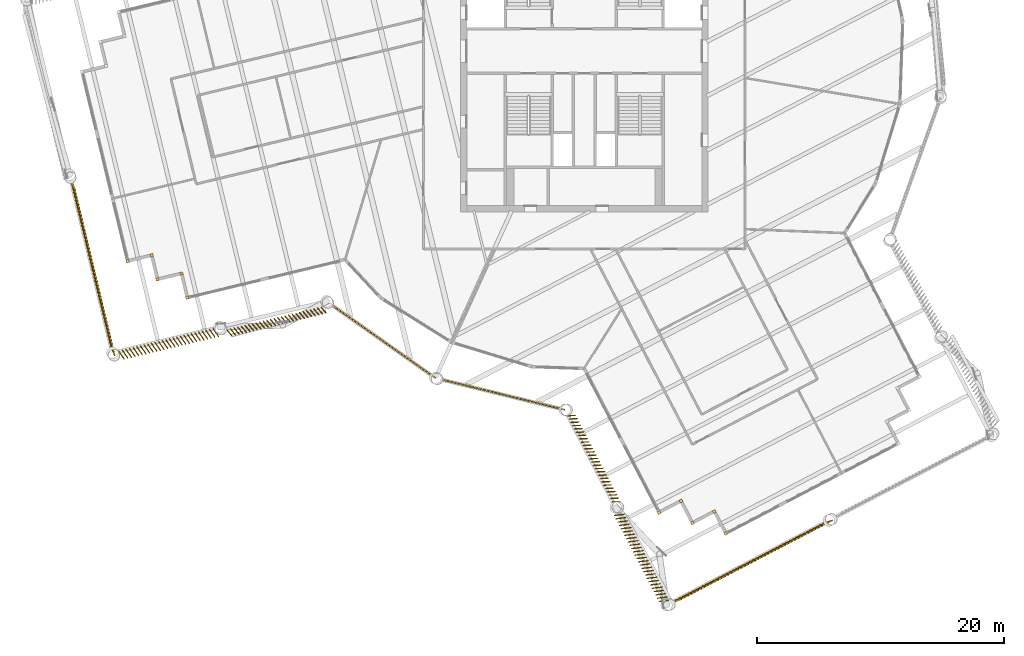
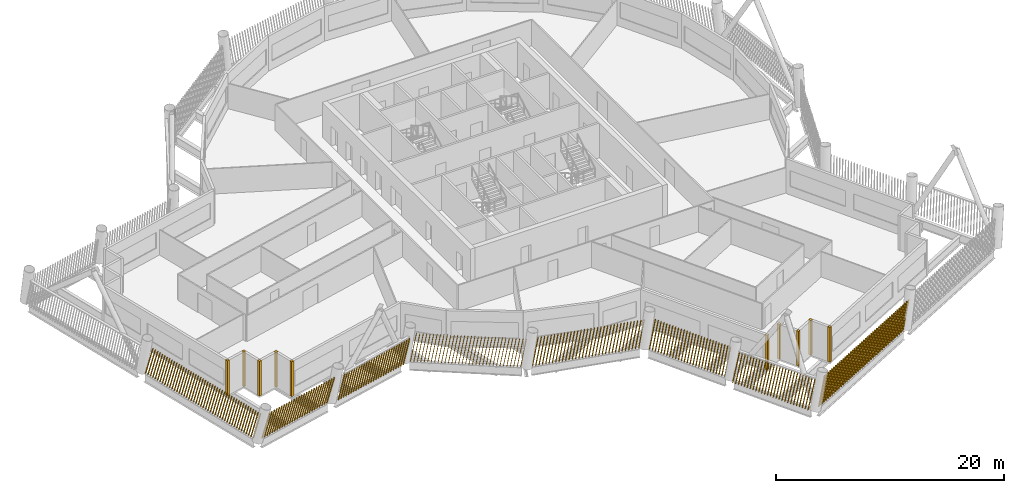
# One storey, part 18 of 22: 18 shading devices.
"""IFC4 building model written with IfcOpenShell, lengths in metres."""

from ifc_helpers import new_model, si_unit, direction, frame, frame_2d, origin, origin_2d, place, context, subcontext, project, spatial, rectangle, composite_profile, extrude, material, type_object, element, save


model = new_model("IFC4")

# Units and contexts
model_context = context("Model", 3, precision=1e-05, world=origin(), true_north=direction((0.0, 1.0)))
body_context = subcontext(model_context, "Body", "Model", "MODEL_VIEW")
ifc_project = project(units=[si_unit("LENGTHUNIT", "METRE"), si_unit("AREAUNIT", "SQUARE_METRE"), si_unit("VOLUMEUNIT", "CUBIC_METRE"), si_unit("PLANEANGLEUNIT", "RADIAN"), si_unit("MASSUNIT", "GRAM", prefix="KILO")], contexts=[model_context])

# Site, building, storey
site_placement = place(None, origin())
site = spatial("IfcSite", under=ifc_project, at=site_placement, CompositionType="ELEMENT")
building_placement = place(site_placement, origin())
building = spatial("IfcBuilding", under=site, at=building_placement, Name="Tarsis Ring Headquarters", CompositionType="ELEMENT")
storey_placement = place(building_placement, frame((0.0, 0.0, 339.199951171875)))
storey = spatial("IfcBuildingStorey", under=building, at=storey_placement, Name="L80", CompositionType="ELEMENT", Elevation=339.199951171875)

# Shading devices
ifc_material = material(Name="Terracotta baguette", Category="masonry")
shading_device_type_1 = type_object("IfcShadingDeviceType", Name="Terracotta baguette screen", PredefinedType="USERDEFINED", material=ifc_material)
shading_device_1_placement = place(storey_placement, frame((-11.551513671875, -26.556396484375, 0.0), z_axis=(0.0, 0.0, 1.0), x_axis=(0.971143756558, -0.238445010743, 0.0)))
element("IfcShadingDevice", 1, at=shading_device_1_placement, inside=storey, type_object=shading_device_type_1, Name="Baguette screen L80-00", ObjectType="Terracotta baguette screen", PredefinedType="USERDEFINED", context=body_context, shape_type="SweptSolid", body=[
    extrude(composite_profile([rectangle(XDim=0.06005859375, YDim=0.1201171875, at=frame_2d((0.030029296875, 0.0))), rectangle(XDim=0.06005859375, YDim=0.1201171875, at=frame_2d((0.33349609375, 0.0))), rectangle(XDim=0.06005859375, YDim=0.1201171875, at=frame_2d((0.636962890625, 0.0))), rectangle(XDim=0.06005859375, YDim=0.1201171875, at=frame_2d((0.9404296875, 0.0))), rectangle(XDim=0.06005859375, YDim=0.1201171875, at=frame_2d((1.243896484375, 0.0))), rectangle(XDim=0.06005859375, YDim=0.1201171875, at=frame_2d((1.54736328125, 0.0))), rectangle(XDim=0.06005859375, YDim=0.1201171875, at=frame_2d((1.85107421875, 0.0))), rectangle(XDim=0.06005859375, YDim=0.1201171875, at=frame_2d((2.154541015625, 0.0))), rectangle(XDim=0.06005859375, YDim=0.1201171875, at=frame_2d((2.4580078125, 0.0))), rectangle(XDim=0.06005859375, YDim=0.1201171875, at=frame_2d((2.761474609375, 0.0))), rectangle(XDim=0.06005859375, YDim=0.1201171875, at=frame_2d((3.06494140625, 0.0))), rectangle(XDim=0.06005859375, YDim=0.1201171875, at=frame_2d((3.368408203125, 0.0))), rectangle(XDim=0.06005859375, YDim=0.1201171875, at=frame_2d((3.671875, 0.0))), rectangle(XDim=0.06005859375, YDim=0.1201171875, at=frame_2d((3.975341796875, 0.0))), rectangle(XDim=0.06005859375, YDim=0.1201171875, at=frame_2d((4.27880859375, 0.0))), rectangle(XDim=0.06005859375, YDim=0.1201171875, at=frame_2d((4.582275390625, 0.0))), rectangle(XDim=0.06005859375, YDim=0.1201171875, at=frame_2d((4.8857421875, 0.0))), rectangle(XDim=0.06005859375, YDim=0.1201171875, at=frame_2d((5.189453125, 0.0))), rectangle(XDim=0.06005859375, YDim=0.1201171875, at=frame_2d((5.492919921875, 0.0))), rectangle(XDim=0.06005859375, YDim=0.1201171875, at=frame_2d((5.79638671875, 0.0))), rectangle(XDim=0.06005859375, YDim=0.1201171875, at=frame_2d((6.099853515625, 0.0))), rectangle(XDim=0.06005859375, YDim=0.1201171875, at=frame_2d((6.4033203125, 0.0))), rectangle(XDim=0.06005859375, YDim=0.1201171875, at=frame_2d((6.706787109375, 0.0))), rectangle(XDim=0.06005859375, YDim=0.1201171875, at=frame_2d((7.01025390625, 0.0))), rectangle(XDim=0.06005859375, YDim=0.1201171875, at=frame_2d((7.313720703125, 0.0))), rectangle(XDim=0.06005859375, YDim=0.1201171875, at=frame_2d((7.6171875, 0.0))), rectangle(XDim=0.06005859375, YDim=0.1201171875, at=frame_2d((7.920654296875, 0.0))), rectangle(XDim=0.06005859375, YDim=0.1201171875, at=frame_2d((8.224365234375, 0.0))), rectangle(XDim=0.06005859375, YDim=0.1201171875, at=frame_2d((8.52783203125, 0.0))), rectangle(XDim=0.06005859375, YDim=0.1201171875, at=frame_2d((8.831298828125, 0.0))), rectangle(XDim=0.06005859375, YDim=0.1201171875, at=frame_2d((9.134765625, 0.0))), rectangle(XDim=0.06005859375, YDim=0.1201171875, at=frame_2d((9.438232421875, 0.0))), rectangle(XDim=0.06005859375, YDim=0.1201171875, at=frame_2d((9.74169921875, 0.0)))]), origin(), (0.171972713816, 0.001560329971, 0.985100477653), 3.0126953125),
])
shading_device_2_placement = place(storey_placement, frame((-1.344970703125, -29.44921875, 0.0), z_axis=(0.0, 0.0, 1.0), x_axis=(0.462061295106, -0.886832674246, 0.0)))
element("IfcShadingDevice", 2, at=shading_device_2_placement, inside=storey, type_object=shading_device_type_1, Name="Baguette screen L80-01", ObjectType="Terracotta baguette screen", PredefinedType="USERDEFINED", context=body_context, shape_type="SweptSolid", body=[
    extrude(composite_profile([rectangle(XDim=0.06005859375, YDim=0.1201171875, at=frame_2d((0.030029296875, 0.0))), rectangle(XDim=0.06005859375, YDim=0.1201171875, at=frame_2d((0.33154296875, 0.0))), rectangle(XDim=0.06005859375, YDim=0.1201171875, at=frame_2d((0.63330078125, 0.0))), rectangle(XDim=0.06005859375, YDim=0.1201171875, at=frame_2d((0.934814453125, 0.0))), rectangle(XDim=0.06005859375, YDim=0.1201171875, at=frame_2d((1.236572265625, 0.0))), rectangle(XDim=0.06005859375, YDim=0.1201171875, at=frame_2d((1.5380859375, 0.0))), rectangle(XDim=0.06005859375, YDim=0.1201171875, at=frame_2d((1.83984375, 0.0))), rectangle(XDim=0.06005859375, YDim=0.1201171875, at=frame_2d((2.141357421875, 0.0))), rectangle(XDim=0.06005859375, YDim=0.1201171875, at=frame_2d((2.443115234375, 0.0))), rectangle(XDim=0.06005859375, YDim=0.1201171875, at=frame_2d((2.74462890625, 0.0))), rectangle(XDim=0.06005859375, YDim=0.1201171875, at=frame_2d((3.04638671875, 0.0))), rectangle(XDim=0.06005859375, YDim=0.1201171875, at=frame_2d((3.347900390625, 0.0))), rectangle(XDim=0.06005859375, YDim=0.1201171875, at=frame_2d((3.649658203125, 0.0))), rectangle(XDim=0.06005859375, YDim=0.1201171875, at=frame_2d((3.951171875, 0.0))), rectangle(XDim=0.06005859375, YDim=0.1201171875, at=frame_2d((4.252685546875, 0.0))), rectangle(XDim=0.06005859375, YDim=0.1201171875, at=frame_2d((4.554443359375, 0.0))), rectangle(XDim=0.06005859375, YDim=0.1201171875, at=frame_2d((4.85595703125, 0.0))), rectangle(XDim=0.06005859375, YDim=0.1201171875, at=frame_2d((5.15771484375, 0.0))), rectangle(XDim=0.06005859375, YDim=0.1201171875, at=frame_2d((5.459228515625, 0.0))), rectangle(XDim=0.06005859375, YDim=0.1201171875, at=frame_2d((5.760986328125, 0.0))), rectangle(XDim=0.06005859375, YDim=0.1201171875, at=frame_2d((6.0625, 0.0))), rectangle(XDim=0.06005859375, YDim=0.1201171875, at=frame_2d((6.3642578125, 0.0))), rectangle(XDim=0.06005859375, YDim=0.1201171875, at=frame_2d((6.665771484375, 0.0))), rectangle(XDim=0.06005859375, YDim=0.1201171875, at=frame_2d((6.967529296875, 0.0))), rectangle(XDim=0.06005859375, YDim=0.1201171875, at=frame_2d((7.26904296875, 0.0))), rectangle(XDim=0.06005859375, YDim=0.1201171875, at=frame_2d((7.57080078125, 0.0))), rectangle(XDim=0.06005859375, YDim=0.1201171875, at=frame_2d((7.872314453125, 0.0)))]), origin(), (0.0871284529, 0.177342504153, 0.980284789699), 3.02734375),
])
shading_device_3_placement = place(storey_placement, frame((2.435791015625, -37.517333984375, 0.0), z_axis=(0.0, 0.0, 1.0), x_axis=(0.462061295106, -0.886832674246, 0.0)))
element("IfcShadingDevice", 3, at=shading_device_3_placement, inside=storey, type_object=shading_device_type_1, Name="Baguette screen L80-02", ObjectType="Terracotta baguette screen", PredefinedType="USERDEFINED", context=body_context, shape_type="SweptSolid", body=[
    extrude(composite_profile([rectangle(XDim=0.06005859375, YDim=0.1201171875, at=frame_2d((0.030029296875, 0.0))), rectangle(XDim=0.06005859375, YDim=0.1201171875, at=frame_2d((0.33154296875, 0.0))), rectangle(XDim=0.06005859375, YDim=0.1201171875, at=frame_2d((0.63330078125, 0.0))), rectangle(XDim=0.06005859375, YDim=0.1201171875, at=frame_2d((0.934814453125, 0.0))), rectangle(XDim=0.06005859375, YDim=0.1201171875, at=frame_2d((1.236572265625, 0.0))), rectangle(XDim=0.06005859375, YDim=0.1201171875, at=frame_2d((1.5380859375, 0.0))), rectangle(XDim=0.06005859375, YDim=0.1201171875, at=frame_2d((1.83984375, 0.0))), rectangle(XDim=0.06005859375, YDim=0.1201171875, at=frame_2d((2.141357421875, 0.0))), rectangle(XDim=0.06005859375, YDim=0.1201171875, at=frame_2d((2.443115234375, 0.0))), rectangle(XDim=0.06005859375, YDim=0.1201171875, at=frame_2d((2.74462890625, 0.0))), rectangle(XDim=0.06005859375, YDim=0.1201171875, at=frame_2d((3.04638671875, 0.0))), rectangle(XDim=0.06005859375, YDim=0.1201171875, at=frame_2d((3.347900390625, 0.0))), rectangle(XDim=0.06005859375, YDim=0.1201171875, at=frame_2d((3.649658203125, 0.0))), rectangle(XDim=0.06005859375, YDim=0.1201171875, at=frame_2d((3.951171875, 0.0))), rectangle(XDim=0.06005859375, YDim=0.1201171875, at=frame_2d((4.252685546875, 0.0))), rectangle(XDim=0.06005859375, YDim=0.1201171875, at=frame_2d((4.554443359375, 0.0))), rectangle(XDim=0.06005859375, YDim=0.1201171875, at=frame_2d((4.85595703125, 0.0))), rectangle(XDim=0.06005859375, YDim=0.1201171875, at=frame_2d((5.15771484375, 0.0))), rectangle(XDim=0.06005859375, YDim=0.1201171875, at=frame_2d((5.459228515625, 0.0))), rectangle(XDim=0.06005859375, YDim=0.1201171875, at=frame_2d((5.760986328125, 0.0))), rectangle(XDim=0.06005859375, YDim=0.1201171875, at=frame_2d((6.0625, 0.0))), rectangle(XDim=0.06005859375, YDim=0.1201171875, at=frame_2d((6.3642578125, 0.0))), rectangle(XDim=0.06005859375, YDim=0.1201171875, at=frame_2d((6.665771484375, 0.0))), rectangle(XDim=0.06005859375, YDim=0.1201171875, at=frame_2d((6.967529296875, 0.0))), rectangle(XDim=0.06005859375, YDim=0.1201171875, at=frame_2d((7.26904296875, 0.0))), rectangle(XDim=0.06005859375, YDim=0.1201171875, at=frame_2d((7.57080078125, 0.0))), rectangle(XDim=0.06005859375, YDim=0.1201171875, at=frame_2d((7.872314453125, 0.0)))]), origin(), (0.0879264912, 0.228225336967, 0.96962989213), 3.060791015625),
])
shading_device_4_placement = place(storey_placement, frame((7.09423828125, -44.564697265625, 0.0), z_axis=(0.0, 0.0, 1.0), x_axis=(0.886846528085, 0.46206103494, 0.0)))
element("IfcShadingDevice", 4, at=shading_device_4_placement, inside=storey, type_object=shading_device_type_1, Name="Baguette screen L80-03", ObjectType="Terracotta baguette screen", PredefinedType="USERDEFINED", context=body_context, shape_type="SweptSolid", body=[
    extrude(composite_profile([rectangle(XDim=0.06005859375, YDim=0.1201171875, at=frame_2d((0.030029296875, 0.0))), rectangle(XDim=0.06005859375, YDim=0.1201171875, at=frame_2d((0.33544921875, 0.0))), rectangle(XDim=0.06005859375, YDim=0.1201171875, at=frame_2d((0.640625, 0.0))), rectangle(XDim=0.06005859375, YDim=0.1201171875, at=frame_2d((0.946044921875, 0.0))), rectangle(XDim=0.06005859375, YDim=0.1201171875, at=frame_2d((1.25146484375, 0.0))), rectangle(XDim=0.06005859375, YDim=0.1201171875, at=frame_2d((1.556640625, 0.0))), rectangle(XDim=0.06005859375, YDim=0.1201171875, at=frame_2d((1.862060546875, 0.0))), rectangle(XDim=0.06005859375, YDim=0.1201171875, at=frame_2d((2.16748046875, 0.0))), rectangle(XDim=0.06005859375, YDim=0.1201171875, at=frame_2d((2.47265625, 0.0))), rectangle(XDim=0.06005859375, YDim=0.1201171875, at=frame_2d((2.778076171875, 0.0))), rectangle(XDim=0.06005859375, YDim=0.1201171875, at=frame_2d((3.08349609375, 0.0))), rectangle(XDim=0.06005859375, YDim=0.1201171875, at=frame_2d((3.388671875, 0.0))), rectangle(XDim=0.06005859375, YDim=0.1201171875, at=frame_2d((3.694091796875, 0.0))), rectangle(XDim=0.06005859375, YDim=0.1201171875, at=frame_2d((3.99951171875, 0.0))), rectangle(XDim=0.06005859375, YDim=0.1201171875, at=frame_2d((4.3046875, 0.0))), rectangle(XDim=0.06005859375, YDim=0.1201171875, at=frame_2d((4.610107421875, 0.0))), rectangle(XDim=0.06005859375, YDim=0.1201171875, at=frame_2d((4.91552734375, 0.0))), rectangle(XDim=0.06005859375, YDim=0.1201171875, at=frame_2d((5.220703125, 0.0))), rectangle(XDim=0.06005859375, YDim=0.1201171875, at=frame_2d((5.526123046875, 0.0))), rectangle(XDim=0.06005859375, YDim=0.1201171875, at=frame_2d((5.83154296875, 0.0))), rectangle(XDim=0.06005859375, YDim=0.1201171875, at=frame_2d((6.13671875, 0.0))), rectangle(XDim=0.06005859375, YDim=0.1201171875, at=frame_2d((6.442138671875, 0.0))), rectangle(XDim=0.06005859375, YDim=0.1201171875, at=frame_2d((6.74755859375, 0.0))), rectangle(XDim=0.06005859375, YDim=0.1201171875, at=frame_2d((7.052734375, 0.0))), rectangle(XDim=0.06005859375, YDim=0.1201171875, at=frame_2d((7.358154296875, 0.0))), rectangle(XDim=0.06005859375, YDim=0.1201171875, at=frame_2d((7.66357421875, 0.0))), rectangle(XDim=0.06005859375, YDim=0.1201171875, at=frame_2d((7.96875, 0.0))), rectangle(XDim=0.06005859375, YDim=0.1201171875, at=frame_2d((8.274169921875, 0.0))), rectangle(XDim=0.06005859375, YDim=0.1201171875, at=frame_2d((8.57958984375, 0.0))), rectangle(XDim=0.06005859375, YDim=0.1201171875, at=frame_2d((8.884765625, 0.0))), rectangle(XDim=0.06005859375, YDim=0.1201171875, at=frame_2d((9.190185546875, 0.0))), rectangle(XDim=0.06005859375, YDim=0.1201171875, at=frame_2d((9.49560546875, 0.0))), rectangle(XDim=0.06005859375, YDim=0.1201171875, at=frame_2d((9.80078125, 0.0))), rectangle(XDim=0.06005859375, YDim=0.1201171875, at=frame_2d((10.106201171875, 0.0))), rectangle(XDim=0.06005859375, YDim=0.1201171875, at=frame_2d((10.41162109375, 0.0))), rectangle(XDim=0.06005859375, YDim=0.1201171875, at=frame_2d((10.716796875, 0.0))), rectangle(XDim=0.06005859375, YDim=0.1201171875, at=frame_2d((11.022216796875, 0.0))), rectangle(XDim=0.06005859375, YDim=0.1201171875, at=frame_2d((11.32763671875, 0.0))), rectangle(XDim=0.06005859375, YDim=0.1201171875, at=frame_2d((11.6328125, 0.0))), rectangle(XDim=0.06005859375, YDim=0.1201171875, at=frame_2d((11.938232421875, 0.0))), rectangle(XDim=0.06005859375, YDim=0.1201171875, at=frame_2d((12.24365234375, 0.0))), rectangle(XDim=0.06005859375, YDim=0.1201171875, at=frame_2d((12.548828125, 0.0))), rectangle(XDim=0.06005859375, YDim=0.1201171875, at=frame_2d((12.854248046875, 0.0))), rectangle(XDim=0.06005859375, YDim=0.1201171875, at=frame_2d((13.15966796875, 0.0))), rectangle(XDim=0.06005859375, YDim=0.1201171875, at=frame_2d((13.46484375, 0.0))), rectangle(XDim=0.06005859375, YDim=0.1201171875, at=frame_2d((13.770263671875, 0.0)))]), origin(), (0.253379780807, -0.041444911178, 0.96647866299), 3.07080078125),
])
shading_device_5_placement = place(storey_placement, frame((-41.4970703125, -10.4921875, 0.0), z_axis=(0.0, 0.0, 1.0), x_axis=(0.233794494374, -0.972294954356, 0.0)))
element("IfcShadingDevice", 5, at=shading_device_5_placement, inside=storey, type_object=shading_device_type_1, Name="Baguette screen L80-18", ObjectType="Terracotta baguette screen", PredefinedType="USERDEFINED", context=body_context, shape_type="SweptSolid", body=[
    extrude(composite_profile([rectangle(XDim=0.06005859375, YDim=0.1201171875, at=frame_2d((0.030029296875, 0.0))), rectangle(XDim=0.06005859375, YDim=0.1201171875, at=frame_2d((0.33544921875, 0.0))), rectangle(XDim=0.06005859375, YDim=0.1201171875, at=frame_2d((0.640625, 0.0))), rectangle(XDim=0.06005859375, YDim=0.1201171875, at=frame_2d((0.946044921875, 0.0))), rectangle(XDim=0.06005859375, YDim=0.1201171875, at=frame_2d((1.25146484375, 0.0))), rectangle(XDim=0.06005859375, YDim=0.1201171875, at=frame_2d((1.556640625, 0.0))), rectangle(XDim=0.06005859375, YDim=0.1201171875, at=frame_2d((1.862060546875, 0.0))), rectangle(XDim=0.06005859375, YDim=0.1201171875, at=frame_2d((2.16748046875, 0.0))), rectangle(XDim=0.06005859375, YDim=0.1201171875, at=frame_2d((2.47265625, 0.0))), rectangle(XDim=0.06005859375, YDim=0.1201171875, at=frame_2d((2.778076171875, 0.0))), rectangle(XDim=0.06005859375, YDim=0.1201171875, at=frame_2d((3.08349609375, 0.0))), rectangle(XDim=0.06005859375, YDim=0.1201171875, at=frame_2d((3.388671875, 0.0))), rectangle(XDim=0.06005859375, YDim=0.1201171875, at=frame_2d((3.694091796875, 0.0))), rectangle(XDim=0.06005859375, YDim=0.1201171875, at=frame_2d((3.99951171875, 0.0))), rectangle(XDim=0.06005859375, YDim=0.1201171875, at=frame_2d((4.3046875, 0.0))), rectangle(XDim=0.06005859375, YDim=0.1201171875, at=frame_2d((4.610107421875, 0.0))), rectangle(XDim=0.06005859375, YDim=0.1201171875, at=frame_2d((4.91552734375, 0.0))), rectangle(XDim=0.06005859375, YDim=0.1201171875, at=frame_2d((5.220703125, 0.0))), rectangle(XDim=0.06005859375, YDim=0.1201171875, at=frame_2d((5.526123046875, 0.0))), rectangle(XDim=0.06005859375, YDim=0.1201171875, at=frame_2d((5.83154296875, 0.0))), rectangle(XDim=0.06005859375, YDim=0.1201171875, at=frame_2d((6.13671875, 0.0))), rectangle(XDim=0.06005859375, YDim=0.1201171875, at=frame_2d((6.442138671875, 0.0))), rectangle(XDim=0.06005859375, YDim=0.1201171875, at=frame_2d((6.74755859375, 0.0))), rectangle(XDim=0.06005859375, YDim=0.1201171875, at=frame_2d((7.052734375, 0.0))), rectangle(XDim=0.06005859375, YDim=0.1201171875, at=frame_2d((7.358154296875, 0.0))), rectangle(XDim=0.06005859375, YDim=0.1201171875, at=frame_2d((7.66357421875, 0.0))), rectangle(XDim=0.06005859375, YDim=0.1201171875, at=frame_2d((7.96875, 0.0))), rectangle(XDim=0.06005859375, YDim=0.1201171875, at=frame_2d((8.274169921875, 0.0))), rectangle(XDim=0.06005859375, YDim=0.1201171875, at=frame_2d((8.57958984375, 0.0))), rectangle(XDim=0.06005859375, YDim=0.1201171875, at=frame_2d((8.884765625, 0.0))), rectangle(XDim=0.06005859375, YDim=0.1201171875, at=frame_2d((9.190185546875, 0.0))), rectangle(XDim=0.06005859375, YDim=0.1201171875, at=frame_2d((9.49560546875, 0.0))), rectangle(XDim=0.06005859375, YDim=0.1201171875, at=frame_2d((9.80078125, 0.0))), rectangle(XDim=0.06005859375, YDim=0.1201171875, at=frame_2d((10.106201171875, 0.0))), rectangle(XDim=0.06005859375, YDim=0.1201171875, at=frame_2d((10.41162109375, 0.0))), rectangle(XDim=0.06005859375, YDim=0.1201171875, at=frame_2d((10.716796875, 0.0))), rectangle(XDim=0.06005859375, YDim=0.1201171875, at=frame_2d((11.022216796875, 0.0))), rectangle(XDim=0.06005859375, YDim=0.1201171875, at=frame_2d((11.32763671875, 0.0))), rectangle(XDim=0.06005859375, YDim=0.1201171875, at=frame_2d((11.6328125, 0.0))), rectangle(XDim=0.06005859375, YDim=0.1201171875, at=frame_2d((11.938232421875, 0.0))), rectangle(XDim=0.06005859375, YDim=0.1201171875, at=frame_2d((12.24365234375, 0.0))), rectangle(XDim=0.06005859375, YDim=0.1201171875, at=frame_2d((12.548828125, 0.0))), rectangle(XDim=0.06005859375, YDim=0.1201171875, at=frame_2d((12.854248046875, 0.0))), rectangle(XDim=0.06005859375, YDim=0.1201171875, at=frame_2d((13.15966796875, 0.0))), rectangle(XDim=0.06005859375, YDim=0.1201171875, at=frame_2d((13.46484375, 0.0))), rectangle(XDim=0.06005859375, YDim=0.1201171875, at=frame_2d((13.770263671875, 0.0)))]), origin(), (0.252588872901, 0.046034476388, 0.966477981265), 3.07080078125),
])
shading_device_6_placement = place(storey_placement, frame((-37.667724609375, -24.279052734375, 0.0), z_axis=(0.0, 0.0, 1.0), x_axis=(0.972286588192, 0.233787499614, 0.0)))
element("IfcShadingDevice", 6, at=shading_device_6_placement, inside=storey, type_object=shading_device_type_1, Name="Baguette screen L80-19", ObjectType="Terracotta baguette screen", PredefinedType="USERDEFINED", context=body_context, shape_type="SweptSolid", body=[
    extrude(composite_profile([rectangle(XDim=0.06005859375, YDim=0.1201171875, at=frame_2d((0.030029296875, 0.0))), rectangle(XDim=0.06005859375, YDim=0.1201171875, at=frame_2d((0.33154296875, 0.0))), rectangle(XDim=0.06005859375, YDim=0.1201171875, at=frame_2d((0.63330078125, 0.0))), rectangle(XDim=0.06005859375, YDim=0.1201171875, at=frame_2d((0.934814453125, 0.0))), rectangle(XDim=0.06005859375, YDim=0.1201171875, at=frame_2d((1.236572265625, 0.0))), rectangle(XDim=0.06005859375, YDim=0.1201171875, at=frame_2d((1.5380859375, 0.0))), rectangle(XDim=0.06005859375, YDim=0.1201171875, at=frame_2d((1.83984375, 0.0))), rectangle(XDim=0.06005859375, YDim=0.1201171875, at=frame_2d((2.141357421875, 0.0))), rectangle(XDim=0.06005859375, YDim=0.1201171875, at=frame_2d((2.443115234375, 0.0))), rectangle(XDim=0.06005859375, YDim=0.1201171875, at=frame_2d((2.74462890625, 0.0))), rectangle(XDim=0.06005859375, YDim=0.1201171875, at=frame_2d((3.04638671875, 0.0))), rectangle(XDim=0.06005859375, YDim=0.1201171875, at=frame_2d((3.347900390625, 0.0))), rectangle(XDim=0.06005859375, YDim=0.1201171875, at=frame_2d((3.649658203125, 0.0))), rectangle(XDim=0.06005859375, YDim=0.1201171875, at=frame_2d((3.951171875, 0.0))), rectangle(XDim=0.06005859375, YDim=0.1201171875, at=frame_2d((4.252685546875, 0.0))), rectangle(XDim=0.06005859375, YDim=0.1201171875, at=frame_2d((4.554443359375, 0.0))), rectangle(XDim=0.06005859375, YDim=0.1201171875, at=frame_2d((4.85595703125, 0.0))), rectangle(XDim=0.06005859375, YDim=0.1201171875, at=frame_2d((5.15771484375, 0.0))), rectangle(XDim=0.06005859375, YDim=0.1201171875, at=frame_2d((5.459228515625, 0.0))), rectangle(XDim=0.06005859375, YDim=0.1201171875, at=frame_2d((5.760986328125, 0.0))), rectangle(XDim=0.06005859375, YDim=0.1201171875, at=frame_2d((6.0625, 0.0))), rectangle(XDim=0.06005859375, YDim=0.1201171875, at=frame_2d((6.3642578125, 0.0))), rectangle(XDim=0.06005859375, YDim=0.1201171875, at=frame_2d((6.665771484375, 0.0))), rectangle(XDim=0.06005859375, YDim=0.1201171875, at=frame_2d((6.967529296875, 0.0))), rectangle(XDim=0.06005859375, YDim=0.1201171875, at=frame_2d((7.26904296875, 0.0))), rectangle(XDim=0.06005859375, YDim=0.1201171875, at=frame_2d((7.57080078125, 0.0))), rectangle(XDim=0.06005859375, YDim=0.1201171875, at=frame_2d((7.872314453125, 0.0)))]), origin(), (0.089846344794, -0.226660895115, 0.969820845802), 3.06005859375),
])
shading_device_7_placement = place(storey_placement, frame((-28.924560546875, -22.562255859375, 0.0), z_axis=(0.0, 0.0, 1.0), x_axis=(0.97228744439, 0.233780276817, 0.0)))
element("IfcShadingDevice", 7, at=shading_device_7_placement, inside=storey, type_object=shading_device_type_1, Name="Baguette screen L80-20", ObjectType="Terracotta baguette screen", PredefinedType="USERDEFINED", context=body_context, shape_type="SweptSolid", body=[
    extrude(composite_profile([rectangle(XDim=0.06005859375, YDim=0.1201171875, at=frame_2d((0.030029296875, 0.0))), rectangle(XDim=0.06005859375, YDim=0.1201171875, at=frame_2d((0.33154296875, 0.0))), rectangle(XDim=0.06005859375, YDim=0.1201171875, at=frame_2d((0.63330078125, 0.0))), rectangle(XDim=0.06005859375, YDim=0.1201171875, at=frame_2d((0.934814453125, 0.0))), rectangle(XDim=0.06005859375, YDim=0.1201171875, at=frame_2d((1.236572265625, 0.0))), rectangle(XDim=0.06005859375, YDim=0.1201171875, at=frame_2d((1.5380859375, 0.0))), rectangle(XDim=0.06005859375, YDim=0.1201171875, at=frame_2d((1.83984375, 0.0))), rectangle(XDim=0.06005859375, YDim=0.1201171875, at=frame_2d((2.141357421875, 0.0))), rectangle(XDim=0.06005859375, YDim=0.1201171875, at=frame_2d((2.443115234375, 0.0))), rectangle(XDim=0.06005859375, YDim=0.1201171875, at=frame_2d((2.74462890625, 0.0))), rectangle(XDim=0.06005859375, YDim=0.1201171875, at=frame_2d((3.04638671875, 0.0))), rectangle(XDim=0.06005859375, YDim=0.1201171875, at=frame_2d((3.347900390625, 0.0))), rectangle(XDim=0.06005859375, YDim=0.1201171875, at=frame_2d((3.649658203125, 0.0))), rectangle(XDim=0.06005859375, YDim=0.1201171875, at=frame_2d((3.951171875, 0.0))), rectangle(XDim=0.06005859375, YDim=0.1201171875, at=frame_2d((4.252685546875, 0.0))), rectangle(XDim=0.06005859375, YDim=0.1201171875, at=frame_2d((4.554443359375, 0.0))), rectangle(XDim=0.06005859375, YDim=0.1201171875, at=frame_2d((4.85595703125, 0.0))), rectangle(XDim=0.06005859375, YDim=0.1201171875, at=frame_2d((5.15771484375, 0.0))), rectangle(XDim=0.06005859375, YDim=0.1201171875, at=frame_2d((5.459228515625, 0.0))), rectangle(XDim=0.06005859375, YDim=0.1201171875, at=frame_2d((5.760986328125, 0.0))), rectangle(XDim=0.06005859375, YDim=0.1201171875, at=frame_2d((6.0625, 0.0))), rectangle(XDim=0.06005859375, YDim=0.1201171875, at=frame_2d((6.3642578125, 0.0))), rectangle(XDim=0.06005859375, YDim=0.1201171875, at=frame_2d((6.665771484375, 0.0))), rectangle(XDim=0.06005859375, YDim=0.1201171875, at=frame_2d((6.967529296875, 0.0))), rectangle(XDim=0.06005859375, YDim=0.1201171875, at=frame_2d((7.26904296875, 0.0))), rectangle(XDim=0.06005859375, YDim=0.1201171875, at=frame_2d((7.57080078125, 0.0))), rectangle(XDim=0.06005859375, YDim=0.1201171875, at=frame_2d((7.872314453125, 0.0)))]), origin(), (0.09256226691, -0.175678568116, 0.980086357139), 3.028076171875),
])
shading_device_8_placement = place(storey_placement, frame((-20.43408203125, -20.521484375, 0.0), z_axis=(0.0, 0.0, 1.0), x_axis=(0.817509494303, -0.575929442335, 0.0)))
element("IfcShadingDevice", 8, at=shading_device_8_placement, inside=storey, type_object=shading_device_type_1, Name="Baguette screen L80-21", ObjectType="Terracotta baguette screen", PredefinedType="USERDEFINED", context=body_context, shape_type="SweptSolid", body=[
    extrude(composite_profile([rectangle(XDim=0.06005859375, YDim=0.1201171875, at=frame_2d((0.030029296875, 0.0))), rectangle(XDim=0.06005859375, YDim=0.1201171875, at=frame_2d((0.33349609375, 0.0))), rectangle(XDim=0.06005859375, YDim=0.1201171875, at=frame_2d((0.636962890625, 0.0))), rectangle(XDim=0.06005859375, YDim=0.1201171875, at=frame_2d((0.9404296875, 0.0))), rectangle(XDim=0.06005859375, YDim=0.1201171875, at=frame_2d((1.243896484375, 0.0))), rectangle(XDim=0.06005859375, YDim=0.1201171875, at=frame_2d((1.54736328125, 0.0))), rectangle(XDim=0.06005859375, YDim=0.1201171875, at=frame_2d((1.850830078125, 0.0))), rectangle(XDim=0.06005859375, YDim=0.1201171875, at=frame_2d((2.154296875, 0.0))), rectangle(XDim=0.06005859375, YDim=0.1201171875, at=frame_2d((2.4580078125, 0.0))), rectangle(XDim=0.06005859375, YDim=0.1201171875, at=frame_2d((2.761474609375, 0.0))), rectangle(XDim=0.06005859375, YDim=0.1201171875, at=frame_2d((3.06494140625, 0.0))), rectangle(XDim=0.06005859375, YDim=0.1201171875, at=frame_2d((3.368408203125, 0.0))), rectangle(XDim=0.06005859375, YDim=0.1201171875, at=frame_2d((3.671875, 0.0))), rectangle(XDim=0.06005859375, YDim=0.1201171875, at=frame_2d((3.975341796875, 0.0))), rectangle(XDim=0.06005859375, YDim=0.1201171875, at=frame_2d((4.27880859375, 0.0))), rectangle(XDim=0.06005859375, YDim=0.1201171875, at=frame_2d((4.582275390625, 0.0))), rectangle(XDim=0.06005859375, YDim=0.1201171875, at=frame_2d((4.8857421875, 0.0))), rectangle(XDim=0.06005859375, YDim=0.1201171875, at=frame_2d((5.189208984375, 0.0))), rectangle(XDim=0.06005859375, YDim=0.1201171875, at=frame_2d((5.49267578125, 0.0))), rectangle(XDim=0.06005859375, YDim=0.1201171875, at=frame_2d((5.796142578125, 0.0))), rectangle(XDim=0.06005859375, YDim=0.1201171875, at=frame_2d((6.099609375, 0.0))), rectangle(XDim=0.06005859375, YDim=0.1201171875, at=frame_2d((6.403076171875, 0.0))), rectangle(XDim=0.06005859375, YDim=0.1201171875, at=frame_2d((6.70654296875, 0.0))), rectangle(XDim=0.06005859375, YDim=0.1201171875, at=frame_2d((7.010009765625, 0.0))), rectangle(XDim=0.06005859375, YDim=0.1201171875, at=frame_2d((7.3134765625, 0.0))), rectangle(XDim=0.06005859375, YDim=0.1201171875, at=frame_2d((7.6171875, 0.0))), rectangle(XDim=0.06005859375, YDim=0.1201171875, at=frame_2d((7.920654296875, 0.0))), rectangle(XDim=0.06005859375, YDim=0.1201171875, at=frame_2d((8.22412109375, 0.0))), rectangle(XDim=0.06005859375, YDim=0.1201171875, at=frame_2d((8.527587890625, 0.0))), rectangle(XDim=0.06005859375, YDim=0.1201171875, at=frame_2d((8.8310546875, 0.0))), rectangle(XDim=0.06005859375, YDim=0.1201171875, at=frame_2d((9.134521484375, 0.0))), rectangle(XDim=0.06005859375, YDim=0.1201171875, at=frame_2d((9.43798828125, 0.0))), rectangle(XDim=0.06005859375, YDim=0.1201171875, at=frame_2d((9.741455078125, 0.0)))]), origin(), (0.171976240814, 0.001559091961, 0.985099863886), 3.0126953125),
])
shading_device_type_2 = type_object("IfcShadingDeviceType", Name="Terracotta corner baguette 250x250", PredefinedType="USERDEFINED", material=ifc_material)
for number, where, z_axis, x_axis, name in (
    (9, (-32.104736328125, -19.932861328125, 0.0), (0.0, 0.0, 1.0), (0.233785076213, -0.972288299909, 0.0), "Corner baguette L80-01"),
    (10, (6.044921875, -37.302734375, 0.0), (0.0, 0.0, 1.0), (0.462058225767, -0.886849590405, 0.0), "Corner baguette L80-07"),
    (11, (7.818603515625, -36.378662109375, 0.0), (0.0, 0.0, 1.0), (0.886849662985, 0.462058086461, 0.0), "Corner baguette L80-08"),
    (12, (8.742919921875, -38.15234375, 0.0), (0.0, 0.0, 1.0), (0.462058473422, -0.886849461374, 0.0), "Corner baguette L80-09"),
    (13, (10.5166015625, -37.22802734375, 0.0), (0.0, 0.0, 1.0), (0.886849461374, 0.462058473422, 0.0), "Corner baguette L80-10"),
    (14, (11.440673828125, -39.001953125, 0.0), (0.0, 0.0, 1.0), (0.462058086461, -0.886849662985, 0.0), "Corner baguette L80-11"),
    (15, (-36.928955078125, -16.97900390625, 0.0), (0.0, 0.0, 1.0), (0.233784804699, -0.972288365194, 0.0), "Corner baguette L80-37"),
    (16, (-34.984375, -16.511474609375, 0.0), (0.0, 0.0, 1.0), (0.972288299909, 0.233785076213, 0.0), "Corner baguette L80-38"),
    (17, (-34.516845703125, -18.4560546875, 0.0), (0.0, 0.0, 1.0), (0.233784482276, -0.97228844272, 0.0), "Corner baguette L80-39"),
    (18, (-32.572265625, -17.98828125, 0.0), (0.0, 0.0, 1.0), (0.97228844272, 0.233784482276, 0.0), "Corner baguette L80-40"),
):
    element("IfcShadingDevice", number, at=place(storey_placement, frame(where, z_axis=z_axis, x_axis=x_axis)), inside=storey, type_object=shading_device_type_2, Name=name, ObjectType="Terracotta corner baguette", PredefinedType="USERDEFINED", context=body_context, shape_type="SweptSolid", body=[
        extrude(rectangle(XDim=0.25, YDim=0.25, at=origin_2d()), origin(), (0.0, 0.0, 1.0), 3.739990234375),
    ])

save(model, "model.ifc")
